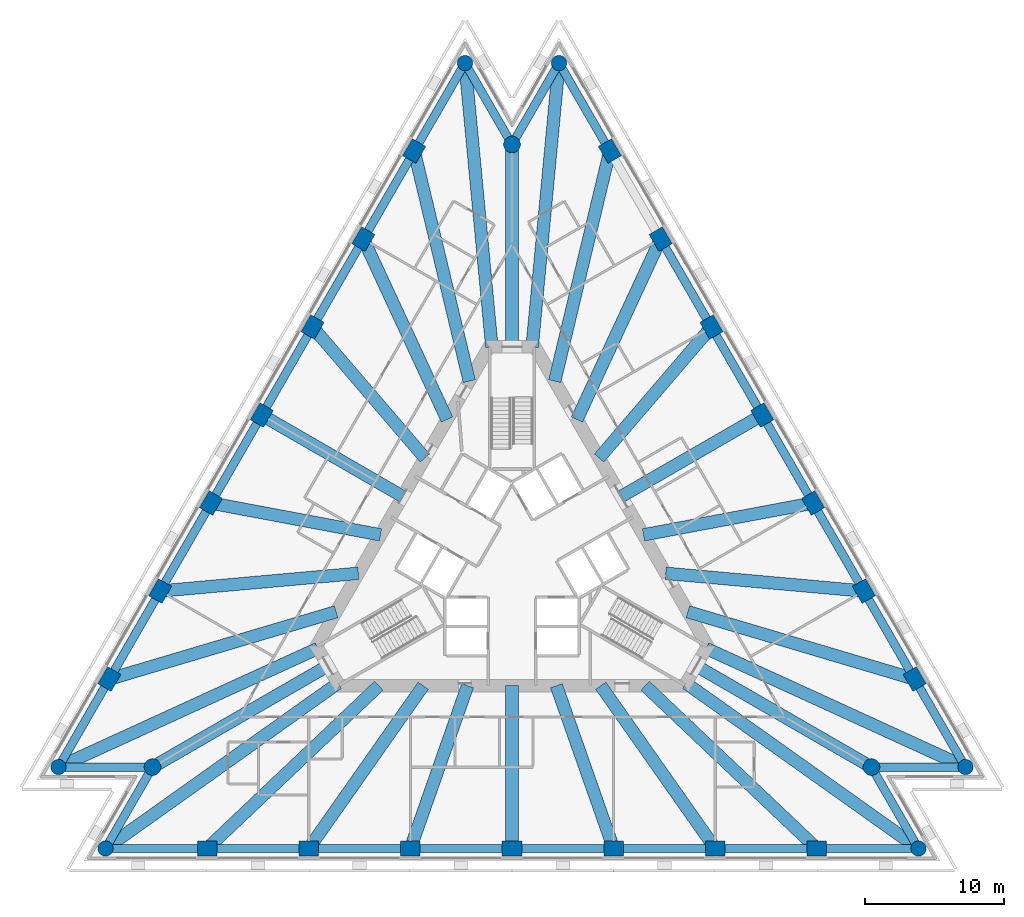
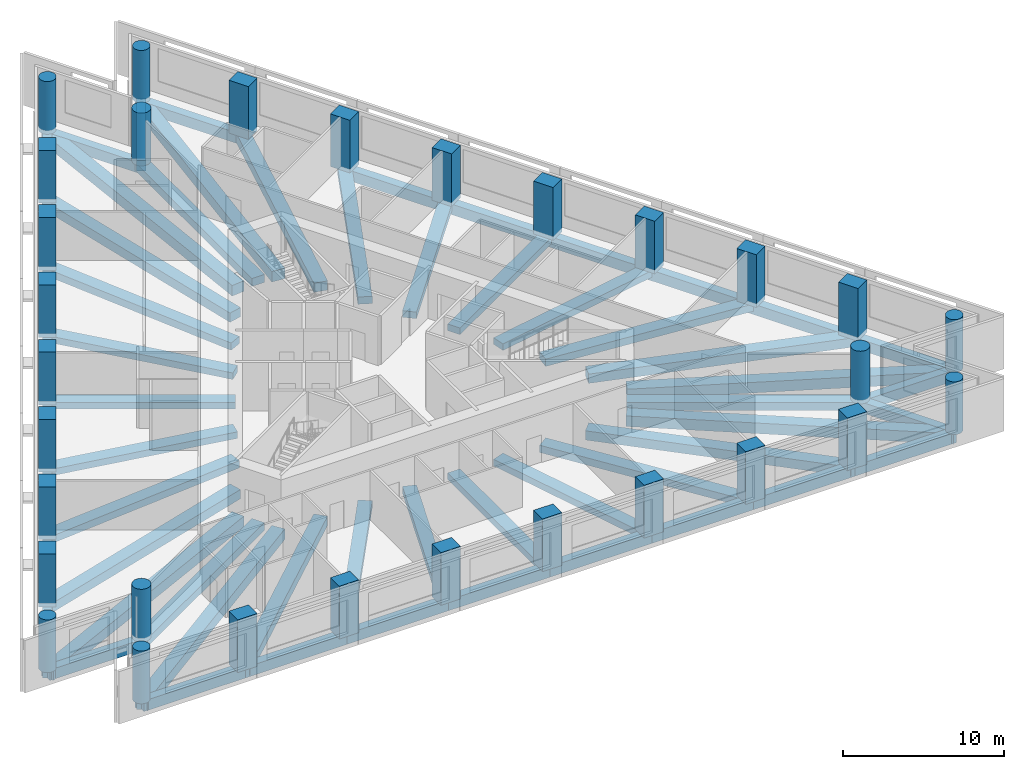
# One storey, part 1 of 11: 59 beams, 30 columns.
"""IFC4 building model written with IfcOpenShell, lengths in metres."""

import ifcopenshell
import ifcopenshell.guid

model = None  # the IFC model being written
_history = None  # IfcOwnerHistory: only IFC2X3 demands one
_inside = {}  # id of a spatial element -> (the spatial element, [elements in it])
_under = {}  # id of a project, library or spatial element -> (it, [spatial elements below it])
_declared = {}  # id of a project -> (the project, [libraries it declares])
_typed = {}  # id of a type object -> (the type object, [elements of that type])
_made_of = {}  # id of a material, layer set ... -> (it, [elements and type objects made of it])


def new_model(schema):
    """Start an empty IFC model of exactly this schema.

    Asked for "IFC4X3", IfcOpenShell would pick the latest addendum, in which some entities
    have other attributes; the version numbers below select the first issue.
    IFC2X3 requires an IfcOwnerHistory on every rooted entity: one is made here for all.
    """
    global model, _history
    if schema == "IFC4X3":
        model = ifcopenshell.file(schema_version=(4, 3, 0, 0))
    else:
        model = ifcopenshell.file(schema=schema)
    _inside.clear()
    _under.clear()
    _declared.clear()
    _typed.clear()
    _made_of.clear()
    _history = None
    if model.schema == "IFC2X3":
        org = make("IfcOrganization", Name="unknown")
        user = make(
            "IfcPersonAndOrganization",
            ThePerson=make("IfcPerson", FamilyName="unknown"),
            TheOrganization=org,
        )
        app = make(
            "IfcApplication",
            ApplicationDeveloper=org,
            Version="unknown",
            ApplicationFullName="unknown",
            ApplicationIdentifier="unknown",
        )
        _history = make(
            "IfcOwnerHistory",
            OwningUser=user,
            OwningApplication=app,
            ChangeAction="ADDED",
            CreationDate=0,
        )
    return model


def make(cls, **values):
    """One entity of the class cls with the attributes given. An attribute that is None is left unset."""
    return model.create_entity(
        cls, **{name: value for name, value in values.items() if value is not None}
    )


def rooted(cls, **values):
    """An entity with a GlobalId (a new one), such as an element, a storey or a relation."""
    return make(cls, GlobalId=ifcopenshell.guid.new(), OwnerHistory=_history, **values)


def si_unit(unit_type, name, prefix=None):
    """IfcSIUnit, for example si_unit("LENGTHUNIT", "METRE", prefix="MILLI")."""
    return make("IfcSIUnit", UnitType=unit_type, Prefix=prefix, Name=name)


def assignment(units):
    """IfcUnitAssignment: the units of a project."""
    return None if units is None else make("IfcUnitAssignment", Units=units)


def point(xyz):
    """IfcCartesianPoint."""
    return None if xyz is None else make("IfcCartesianPoint", Coordinates=xyz)


def direction(xyz):
    """IfcDirection."""
    return None if xyz is None else make("IfcDirection", DirectionRatios=xyz)


def frame(location, z_axis=None, x_axis=None):
    """IfcAxis2Placement3D, a coordinate frame: its origin and axes. An axis left out is left unset."""
    return make(
        "IfcAxis2Placement3D",
        Location=point(location),
        Axis=direction(z_axis),
        RefDirection=direction(x_axis),
    )


def frame_2d(location, x_axis=None):
    """IfcAxis2Placement2D, a coordinate frame in the plane: its origin and x axis."""
    return make(
        "IfcAxis2Placement2D", Location=point(location), RefDirection=direction(x_axis)
    )


def origin():
    """The frame at (0, 0, 0) with its axes left unset."""
    return frame((0.0, 0.0, 0.0))


def origin_2d():
    """The frame at (0, 0) in the plane with its x axis left unset."""
    return frame_2d((0.0, 0.0))


def place(relative_to, where):
    """IfcLocalPlacement: puts the frame where relative to a parent placement (None: the world)."""
    return make(
        "IfcLocalPlacement", PlacementRelTo=relative_to, RelativePlacement=where
    )


def context(
    kind, dimensions, precision=None, world=None, true_north=None, identifier=None
):
    """IfcGeometricRepresentationContext, for example the 3D "Model" context."""
    return make(
        "IfcGeometricRepresentationContext",
        ContextIdentifier=identifier,
        ContextType=kind,
        CoordinateSpaceDimension=dimensions,
        Precision=precision,
        WorldCoordinateSystem=world,
        TrueNorth=true_north,
    )


def subcontext(parent, identifier, kind, view, scale=None):
    """IfcGeometricRepresentationSubContext, for example "Body" below "Model"."""
    return make(
        "IfcGeometricRepresentationSubContext",
        ContextIdentifier=identifier,
        ContextType=kind,
        ParentContext=parent,
        TargetScale=scale,
        TargetView=view,
    )


def project(units=None, contexts=None):
    """IfcProject with its units and contexts."""
    return rooted(
        "IfcProject",
        Name="project",
        RepresentationContexts=contexts,
        UnitsInContext=assignment(units),
    )


def spatial(cls, under=None, at=None, **own):
    """A site, building, storey or space (cls), placed at a placement, below another one or the project."""
    s = rooted(cls, ObjectPlacement=at, **own)
    if under is not None:
        _under.setdefault(under.id(), (under, []))[1].append(s)
    return s


def profile(cls, at=None, kind="AREA", **sizes):
    """A parametric profile (cls). Its sizes go by their IFC names, for example OverallWidth=200.0."""
    return make(cls, ProfileType=kind, Position=at, **sizes)


def rectangle(**sizes):
    """IfcRectangleProfileDef."""
    return profile("IfcRectangleProfileDef", **sizes)


def circle(**sizes):
    """IfcCircleProfileDef."""
    return profile("IfcCircleProfileDef", **sizes)


def extrude(swept, where, along, depth):
    """IfcExtrudedAreaSolid: the profile swept, set in the frame where, extruded along a direction by depth."""
    return make(
        "IfcExtrudedAreaSolid",
        SweptArea=swept,
        Position=where,
        ExtrudedDirection=direction(along),
        Depth=depth,
    )


def shape(context_of_items, identifier, shape_type, items):
    """IfcShapeRepresentation: the items that make up one representation, for example the "Body"."""
    return make(
        "IfcShapeRepresentation",
        ContextOfItems=context_of_items,
        RepresentationIdentifier=identifier,
        RepresentationType=shape_type,
        Items=items,
    )


def material(Name=None, Category=None):
    """IfcMaterial."""
    return make("IfcMaterial", Name=Name, Category=Category)


def material_profile(
    of_material, cross_section, Name=None, Category=None, Priority=None
):
    """IfcMaterialProfile: a cross section and its material."""
    return make(
        "IfcMaterialProfile",
        Name=Name,
        Material=of_material,
        Profile=cross_section,
        Priority=Priority,
        Category=Category,
    )


def profile_set(profiles, Name=None, composite=None):
    """IfcMaterialProfileSet."""
    return make(
        "IfcMaterialProfileSet",
        Name=Name,
        MaterialProfiles=profiles,
        CompositeProfile=composite,
    )


def made_of(thing, what):
    """Note that an element or type object is made of a material, layer set ...; save() writes the relation."""
    if what is not None:
        _made_of.setdefault(what.id(), (what, []))[1].append(thing)
    return thing


def type_object(cls, material=None, **own):
    """A type object (cls), such as IfcWallType, which elements share."""
    return made_of(rooted(cls, **own), material)


def element(
    cls,
    number,
    at=None,
    inside=None,
    cuts=None,
    type_object=None,
    material=None,
    context=None,
    identifier="Body",
    shape_type=None,
    held_by="IfcProductDefinitionShape",
    body=None,
    shapes=None,
    **own,
):
    """One element of the class cls, such as IfcWall. Its Tag is "e" and its number.

    at: its placement. inside: the storey or other place that contains it. cuts: it is an
    opening in that element (IfcRelVoidsElement). A single representation is given by context,
    identifier, shape_type and body (its items); several are given by shapes. held_by: the class
    of the entity that holds the representations. save() writes the other relations.
    """
    e = rooted(cls, Tag="e%d" % number, ObjectPlacement=at, **own)
    if body is not None:
        shapes = [shape(context, identifier, shape_type, body)]
    if shapes is not None:
        e.Representation = make(held_by, Representations=shapes)
    if inside is not None:
        _inside.setdefault(inside.id(), (inside, []))[1].append(e)
    if cuts is not None:
        rooted(
            "IfcRelVoidsElement", RelatingBuildingElement=cuts, RelatedOpeningElement=e
        )
    if type_object is not None:
        _typed.setdefault(type_object.id(), (type_object, []))[1].append(e)
    return made_of(e, material)


def aggregate(whole, parts):
    """IfcRelAggregates: a whole, such as a stair, and the parts it consists of."""
    return rooted("IfcRelAggregates", RelatingObject=whole, RelatedObjects=parts)


def save(model, path):
    """Write the relations noted so far, then the file.

    IfcRelAggregates (storeys below a building ...), IfcRelContainedInSpatialStructure (elements
    in a storey), IfcRelDefinesByType, IfcRelAssociatesMaterial and IfcRelDeclares: one each for
    every whole, place, type object, material and project.
    """
    for whole, parts in _under.values():
        aggregate(whole, parts)
    for where, things in _inside.values():
        rooted(
            "IfcRelContainedInSpatialStructure",
            RelatedElements=things,
            RelatingStructure=where,
        )
    for kind, things in _typed.values():
        rooted("IfcRelDefinesByType", RelatedObjects=things, RelatingType=kind)
    for what, things in _made_of.values():
        rooted("IfcRelAssociatesMaterial", RelatedObjects=things, RelatingMaterial=what)
    for by, libraries in _declared.values():
        rooted("IfcRelDeclares", RelatingContext=by, RelatedDefinitions=libraries)
    model.write(path)


model = new_model("IFC4")

# Units and contexts
model_context = context("Model", 3, precision=1e-05, world=origin(), true_north=direction((0.0, 1.0)))
body_context = subcontext(model_context, "Body", "Model", "MODEL_VIEW")
ifc_project = project(units=[si_unit("LENGTHUNIT", "METRE"), si_unit("AREAUNIT", "SQUARE_METRE"), si_unit("VOLUMEUNIT", "CUBIC_METRE"), si_unit("PLANEANGLEUNIT", "RADIAN"), si_unit("MASSUNIT", "GRAM", prefix="KILO")], contexts=[model_context])

# Site, building, storey
site_placement = place(None, origin())
site = spatial("IfcSite", under=ifc_project, at=site_placement, CompositionType="ELEMENT")
building_placement = place(site_placement, origin())
building = spatial("IfcBuilding", under=site, at=building_placement, Name="Triada Interchange Tower", CompositionType="ELEMENT")
storey_placement = place(building_placement, frame((0.0, 0.0, 79.300048828125)))
storey = spatial("IfcBuildingStorey", under=building, at=storey_placement, Name="L17", CompositionType="ELEMENT", Elevation=79.300048828125)

# Columns
ifc_material_1 = material(Name="Concrete C70/85", Category="concrete")
ifc_material_profile_1 = material_profile(ifc_material_1, rectangle(XDim=1.39990234375, YDim=1.10009765625, at=origin_2d()), Name="RC 1400x1100")
ifc_profile_set_1 = profile_set([ifc_material_profile_1], Name="Concrete C70/85")
column_type_1 = type_object("IfcColumnType", Name="Column A face RC 1400x1100", PredefinedType="COLUMN", material=ifc_profile_set_1)
for number, where, z_axis, x_axis, name in (
    (1, (-7.014892578125, 29.294921875, -0.300048828125), (0.0, 0.0, 1.0), (0.5, 0.866025403784, 0.0), "Column CA02 L17"),
    (2, (-10.657958984375, 22.98388671875, -0.300048828125), (0.0, 0.0, 1.0), (0.5, 0.866025403784, 0.0), "Column CA03 L17"),
    (3, (-14.302001953125, 16.672119140625, -0.300048828125), (0.0, 0.0, 1.0), (0.5, 0.866025403784, 0.0), "Column CA04 L17"),
    (4, (-17.946044921875, 10.361083984375, -0.300048828125), (0.0, 0.0, 1.0), (0.5, 0.866025403784, 0.0), "Column CA05 L17"),
    (5, (-21.590087890625, 4.050048828125, -0.300048828125), (0.0, 0.0, 1.0), (0.5, 0.866025403784, 0.0), "Column CA06 L17"),
    (6, (-25.23388671875, -2.260986328125, -0.300048828125), (0.0, 0.0, 1.0), (0.5, 0.866025403784, 0.0), "Column CA07 L17"),
    (7, (-28.876953125, -8.572998046875, -0.300048828125), (0.0, 0.0, 1.0), (0.5, 0.866025403784, 0.0), "Column CA08 L17"),
    (8, (-21.862060546875, -20.721923828125, -0.300048828125), (0.0, 0.0, 1.0), (1.0, 0.0, 0.0), "Column CA11 L17"),
    (9, (-14.574951171875, -20.721923828125, -0.300048828125), (0.0, 0.0, 1.0), (1.0, 0.0, 0.0), "Column CA12 L17"),
    (10, (-7.2880859375, -20.721923828125, -0.300048828125), (0.0, 0.0, 1.0), (1.0, 0.0, 0.0), "Column CA13 L17"),
    (11, (0.0, -20.721923828125, -0.300048828125), (0.0, 0.0, 1.0), (1.0, 0.0, 0.0), "Column CA14 L17"),
    (12, (7.2880859375, -20.721923828125, -0.300048828125), (0.0, 0.0, 1.0), (1.0, 0.0, 0.0), "Column CA15 L17"),
    (13, (14.574951171875, -20.721923828125, -0.300048828125), (0.0, 0.0, 1.0), (1.0, 0.0, 0.0), "Column CA16 L17"),
    (14, (21.862060546875, -20.721923828125, -0.300048828125), (0.0, 0.0, 1.0), (1.0, 0.0, 0.0), "Column CA17 L17"),
    (15, (28.876953125, -8.572998046875, -0.300048828125), (0.0, 0.0, 1.0), (-0.5, 0.866025403784, 0.0), "Column CA20 L17"),
    (16, (25.23388671875, -2.261962890625, -0.300048828125), (0.0, 0.0, 1.0), (-0.5, 0.866025403784, 0.0), "Column CA21 L17"),
    (17, (21.590087890625, 4.050048828125, -0.300048828125), (0.0, 0.0, 1.0), (-0.5, 0.866025403784, 0.0), "Column CA22 L17"),
    (18, (17.946044921875, 10.361083984375, -0.300048828125), (0.0, 0.0, 1.0), (-0.5, 0.866025403784, 0.0), "Column CA23 L17"),
    (19, (14.302001953125, 16.672119140625, -0.300048828125), (0.0, 0.0, 1.0), (-0.5, 0.866025403784, 0.0), "Column CA24 L17"),
    (20, (10.657958984375, 22.98388671875, -0.300048828125), (0.0, 0.0, 1.0), (-0.5, 0.866025403784, 0.0), "Column CA25 L17"),
    (21, (7.014892578125, 29.294921875, -0.300048828125), (0.0, 0.0, 1.0), (-0.5, 0.866025403784, 0.0), "Column CA26 L17"),
):
    element("IfcColumn", number, at=place(storey_placement, frame(where, z_axis=z_axis, x_axis=x_axis)), inside=storey, type_object=column_type_1, Name=name, PredefinedType="COLUMN", context=body_context, shape_type="SweptSolid", body=[
        extrude(rectangle(XDim=1.39990234375, YDim=1.10009765625, at=origin_2d()), origin(), (0.0, 0.0, 1.0), 4.0),
    ])
ifc_material_profile_2 = material_profile(ifc_material_1, circle(Radius=0.550048828125, at=origin_2d()), Name="RC D1100")
ifc_profile_set_2 = profile_set([ifc_material_profile_2], Name="Concrete C70/85")
column_type_2 = type_object("IfcColumnType", Name="End column A RC D1100", PredefinedType="COLUMN", material=ifc_profile_set_2)
for number, where, z_axis, x_axis, name in (
    (22, (-3.37109375, 35.60595703125, -0.300048828125), (0.0, 0.0, 1.0), (0.5, 0.866025403784, 0.0), "Column CA01 L17"),
    (23, (-32.52099609375, -14.884033203125, -0.300048828125), (0.0, 0.0, 1.0), (0.5, 0.866025403784, 0.0), "Column CA09 L17"),
    (24, (-29.14990234375, -20.721923828125, -0.300048828125), (0.0, 0.0, 1.0), (1.0, 0.0, 0.0), "Column CA10 L17"),
    (25, (29.14990234375, -20.721923828125, -0.300048828125), (0.0, 0.0, 1.0), (1.0, 0.0, 0.0), "Column CA18 L17"),
    (26, (32.52099609375, -14.884033203125, -0.300048828125), (0.0, 0.0, 1.0), (-0.5, 0.866025403784, 0.0), "Column CA19 L17"),
    (27, (3.37109375, 35.60595703125, -0.300048828125), (0.0, 0.0, 1.0), (-0.5, 0.866025403784, 0.0), "Column CA27 L17"),
):
    element("IfcColumn", number, at=place(storey_placement, frame(where, z_axis=z_axis, x_axis=x_axis)), inside=storey, type_object=column_type_2, Name=name, PredefinedType="COLUMN", context=body_context, shape_type="SweptSolid", body=[
        extrude(circle(Radius=0.550048828125, at=origin_2d()), origin(), (0.0, 0.0, 1.0), 4.0),
    ])
ifc_material_profile_3 = material_profile(ifc_material_1, circle(Radius=0.60009765625, at=origin_2d()), Name="RC D1200")
ifc_profile_set_3 = profile_set([ifc_material_profile_3], Name="Concrete C70/85")
column_type_3 = type_object("IfcColumnType", Name="Mega column A RC D1200", PredefinedType="COLUMN", material=ifc_profile_set_3)
for number, where, z_axis, x_axis, name in (
    (28, (0.0, 29.76806640625, -0.300048828125), (0.0, 0.0, 1.0), (1.0, 0.0, 0.0), "Column MA1 L17"),
    (29, (-25.780029296875, -14.884033203125, -0.300048828125), (0.0, 0.0, 1.0), (1.0, 0.0, 0.0), "Column MA2 L17"),
    (30, (25.780029296875, -14.884033203125, -0.300048828125), (0.0, 0.0, 1.0), (1.0, 0.0, 0.0), "Column MA3 L17"),
):
    element("IfcColumn", number, at=place(storey_placement, frame(where, z_axis=z_axis, x_axis=x_axis)), inside=storey, type_object=column_type_3, Name=name, PredefinedType="COLUMN", context=body_context, shape_type="SweptSolid", body=[
        extrude(circle(Radius=0.60009765625, at=origin_2d()), origin(), (0.0, 0.0, 1.0), 4.0),
    ])

# Beams
ifc_material_2 = material(Name="Concrete C50/60", Category="concrete")
ifc_material_profile_4 = material_profile(ifc_material_2, rectangle(XDim=0.89990234375, YDim=0.5, at=origin_2d()), Name="RC 900x500")
ifc_profile_set_4 = profile_set([ifc_material_profile_4], Name="Concrete C50/60")
beam_type_1 = type_object("IfcBeamType", Name="Radial band beam A RC 900x500", PredefinedType="BEAM", material=ifc_profile_set_4)
beam_1_placement = place(storey_placement, frame((-14.302001953125, 16.672119140625, -0.550048828125), z_axis=(0.651088692684, -0.759001656295, 0.0), x_axis=(0.759001656295, 0.651088692684, 0.0)))
element("IfcBeam", 31, at=beam_1_placement, inside=storey, type_object=beam_type_1, Name="Radial band beam BA04 L17", PredefinedType="BEAM", context=body_context, shape_type="SweptSolid", body=[
    extrude(rectangle(XDim=0.89990234375, YDim=0.5, at=origin_2d()), origin(), (0.0, 0.0, 1.0), 12.373046875),
])
beam_2_placement = place(storey_placement, frame((-17.946044921875, 10.361083984375, -0.550048828125), z_axis=(0.866016647085, -0.500015166741, 0.0), x_axis=(0.500015166741, 0.866016647085, 0.0)))
element("IfcBeam", 32, at=beam_2_placement, inside=storey, type_object=beam_type_1, Name="Radial band beam BA05 L17", PredefinedType="BEAM", context=body_context, shape_type="SweptSolid", body=[
    extrude(rectangle(XDim=0.89990234375, YDim=0.5, at=origin_2d()), origin(), (0.0, 0.0, 1.0), 11.672119140625),
])
beam_3_placement = place(storey_placement, frame((-21.590087890625, 4.050048828125, -0.550048828125), z_axis=(0.982860569516, -0.184350483839, 0.0), x_axis=(0.184350483839, 0.982860569516, 0.0)))
element("IfcBeam", 33, at=beam_3_placement, inside=storey, type_object=beam_type_1, Name="Radial band beam BA06 L17", PredefinedType="BEAM", context=body_context, shape_type="SweptSolid", body=[
    extrude(rectangle(XDim=0.89990234375, YDim=0.5, at=origin_2d()), origin(), (0.0, 0.0, 1.0), 12.373291015625),
])
beam_4_placement = place(storey_placement, frame((-7.2880859375, -20.721923828125, -0.550048828125), z_axis=(0.331777446319, 0.943357687261, 0.0), x_axis=(-0.943357687261, 0.331777446319, 0.0)))
element("IfcBeam", 34, at=beam_4_placement, inside=storey, type_object=beam_type_1, Name="Radial band beam BA14 L17", PredefinedType="BEAM", context=body_context, shape_type="SweptSolid", body=[
    extrude(rectangle(XDim=0.89990234375, YDim=0.5, at=origin_2d()), origin(), (0.0, 0.0, 1.0), 12.372802734375),
])
beam_5_placement = place(storey_placement, frame((0.0, -20.721923828125, -0.550048828125), z_axis=(0.0, 1.0, 0.0), x_axis=(-1.0, 0.0, 0.0)))
element("IfcBeam", 35, at=beam_5_placement, inside=storey, type_object=beam_type_1, Name="Radial band beam BA15 L17", PredefinedType="BEAM", context=body_context, shape_type="SweptSolid", body=[
    extrude(rectangle(XDim=0.89990234375, YDim=0.5, at=origin_2d()), origin(), (0.0, 0.0, 1.0), 11.671875),
])
beam_6_placement = place(storey_placement, frame((7.2880859375, -20.721923828125, -0.550048828125), z_axis=(-0.331777446319, 0.943357687261, 0.0), x_axis=(-0.943357687261, -0.331777446319, 0.0)))
element("IfcBeam", 36, at=beam_6_placement, inside=storey, type_object=beam_type_1, Name="Radial band beam BA16 L17", PredefinedType="BEAM", context=body_context, shape_type="SweptSolid", body=[
    extrude(rectangle(XDim=0.89990234375, YDim=0.5, at=origin_2d()), origin(), (0.0, 0.0, 1.0), 12.372802734375),
])
beam_7_placement = place(storey_placement, frame((21.590087890625, 4.050048828125, -0.550048828125), z_axis=(-0.982860569516, -0.184350483839, 0.0), x_axis=(0.184350483839, -0.982860569516, 0.0)))
element("IfcBeam", 37, at=beam_7_placement, inside=storey, type_object=beam_type_1, Name="Radial band beam BA24 L17", PredefinedType="BEAM", context=body_context, shape_type="SweptSolid", body=[
    extrude(rectangle(XDim=0.89990234375, YDim=0.5, at=origin_2d()), origin(), (0.0, 0.0, 1.0), 12.373291015625),
])
beam_8_placement = place(storey_placement, frame((17.946044921875, 10.361083984375, -0.550048828125), z_axis=(-0.866016647085, -0.500015166741, 0.0), x_axis=(0.500015166741, -0.866016647085, 0.0)))
element("IfcBeam", 38, at=beam_8_placement, inside=storey, type_object=beam_type_1, Name="Radial band beam BA25 L17", PredefinedType="BEAM", context=body_context, shape_type="SweptSolid", body=[
    extrude(rectangle(XDim=0.89990234375, YDim=0.5, at=origin_2d()), origin(), (0.0, 0.0, 1.0), 11.672119140625),
])
beam_9_placement = place(storey_placement, frame((14.302001953125, 16.672119140625, -0.550048828125), z_axis=(-0.651088692684, -0.759001656295, 0.0), x_axis=(0.759001656295, -0.651088692684, 0.0)))
element("IfcBeam", 39, at=beam_9_placement, inside=storey, type_object=beam_type_1, Name="Radial band beam BA26 L17", PredefinedType="BEAM", context=body_context, shape_type="SweptSolid", body=[
    extrude(rectangle(XDim=0.89990234375, YDim=0.5, at=origin_2d()), origin(), (0.0, 0.0, 1.0), 12.373046875),
])
ifc_material_profile_5 = material_profile(ifc_material_2, rectangle(XDim=0.89990234375, YDim=0.550048828125, at=origin_2d()), Name="RC 900x550")
ifc_profile_set_5 = profile_set([ifc_material_profile_5], Name="Concrete C50/60")
beam_type_2 = type_object("IfcBeamType", Name="Radial band beam A RC 900x550", PredefinedType="BEAM", material=ifc_profile_set_5)
beam_10_placement = place(storey_placement, frame((-10.657958984375, 22.98388671875, -0.574951171875), z_axis=(0.42067192096, -0.907212838818, 0.0), x_axis=(0.907212838818, 0.42067192096, 0.0)))
element("IfcBeam", 40, at=beam_10_placement, inside=storey, type_object=beam_type_2, Name="Radial band beam BA03 L17", PredefinedType="BEAM", context=body_context, shape_type="SweptSolid", body=[
    extrude(rectangle(XDim=0.89990234375, YDim=0.550048828125, at=origin_2d()), origin(), (0.0, 0.0, 1.0), 14.269775390625),
])
beam_11_placement = place(storey_placement, frame((-25.23388671875, -2.260986328125, -0.574951171875), z_axis=(0.99600766566, 0.089267743034, 0.0), x_axis=(-0.089267743034, 0.99600766566, 0.0)))
element("IfcBeam", 41, at=beam_11_placement, inside=storey, type_object=beam_type_2, Name="Radial band beam BA07 L17", PredefinedType="BEAM", context=body_context, shape_type="SweptSolid", body=[
    extrude(rectangle(XDim=0.89990234375, YDim=0.550048828125, at=origin_2d()), origin(), (0.0, 0.0, 1.0), 14.270751953125),
])
for number, where, z_axis, x_axis, name in (
    (42, (-14.574951171875, -20.721923828125, -0.574951171875), (0.575325573526, 0.817924498011, 0.0), (-0.817924498011, 0.575325573526, 0.0), "Radial band beam BA13 L17"),
    (43, (14.574951171875, -20.721923828125, -0.574951171875), (-0.575325573526, 0.817924498011, 0.0), (-0.817924498011, -0.575325573526, 0.0), "Radial band beam BA17 L17"),
):
    element("IfcBeam", number, at=place(storey_placement, frame(where, z_axis=z_axis, x_axis=x_axis)), inside=storey, type_object=beam_type_2, Name=name, PredefinedType="BEAM", context=body_context, shape_type="SweptSolid", body=[
        extrude(rectangle(XDim=0.89990234375, YDim=0.550048828125, at=origin_2d()), origin(), (0.0, 0.0, 1.0), 14.27001953125),
    ])
for number, where, z_axis, x_axis, name in (
    (44, (25.23388671875, -2.261962890625, -0.574951171875), (-0.996007120299, 0.089273827706, 0.0), (-0.089273827706, -0.996007120299, 0.0), "Radial band beam BA23 L17"),
    (45, (10.657958984375, 22.98388671875, -0.574951171875), (-0.42067192096, -0.907212838818, 0.0), (0.907212838818, -0.42067192096, 0.0), "Radial band beam BA27 L17"),
):
    element("IfcBeam", number, at=place(storey_placement, frame(where, z_axis=z_axis, x_axis=x_axis)), inside=storey, type_object=beam_type_2, Name=name, PredefinedType="BEAM", context=body_context, shape_type="SweptSolid", body=[
        extrude(rectangle(XDim=0.89990234375, YDim=0.550048828125, at=origin_2d()), origin(), (0.0, 0.0, 1.0), 14.269775390625),
    ])
ifc_material_profile_6 = material_profile(ifc_material_2, rectangle(XDim=0.89990234375, YDim=0.60009765625, at=origin_2d()), Name="RC 900x600")
ifc_profile_set_6 = profile_set([ifc_material_profile_6], Name="Concrete C50/60")
beam_type_3 = type_object("IfcBeamType", Name="Radial band beam A RC 900x600", PredefinedType="BEAM", material=ifc_profile_set_6)
for number, where, z_axis, x_axis, name in (
    (46, (-25.780029296875, -14.884033203125, -0.60009765625), (0.866025123534, 0.500000485408, 0.0), (-0.500000485408, 0.866025123534, 0.0), "Radial band beam BA10 L17"),
    (47, (25.780029296875, -14.884033203125, -0.60009765625), (-0.866025123534, 0.500000485408, 0.0), (-0.500000485408, -0.866025123534, 0.0), "Radial band beam BA20 L17"),
    (48, (0.0, 29.76806640625, -0.60009765625), (0.0, -1.0, 0.0), (1.0, 0.0, 0.0), "Radial band beam BA30 L17"),
):
    element("IfcBeam", number, at=place(storey_placement, frame(where, z_axis=z_axis, x_axis=x_axis)), inside=storey, type_object=beam_type_3, Name=name, PredefinedType="BEAM", context=body_context, shape_type="SweptSolid", body=[
        extrude(rectangle(XDim=0.89990234375, YDim=0.60009765625, at=origin_2d()), origin(), (0.0, 0.0, 1.0), 14.51806640625),
    ])
ifc_material_profile_7 = material_profile(ifc_material_2, rectangle(XDim=0.89990234375, YDim=0.699951171875, at=origin_2d()), Name="RC 900x700")
ifc_profile_set_7 = profile_set([ifc_material_profile_7], Name="Concrete C50/60")
beam_type_4 = type_object("IfcBeamType", Name="Radial band beam A RC 900x700", PredefinedType="BEAM", material=ifc_profile_set_7)
beam_12_placement = place(storey_placement, frame((-7.014892578125, 29.294921875, -0.650146484375), z_axis=(0.232895688339, -0.972501721517, 0.0), x_axis=(0.972501721517, 0.232895688339, 0.0)))
element("IfcBeam", 49, at=beam_12_placement, inside=storey, type_object=beam_type_4, Name="Radial band beam BA02 L17", PredefinedType="BEAM", context=body_context, shape_type="SweptSolid", body=[
    extrude(rectangle(XDim=0.89990234375, YDim=0.699951171875, at=origin_2d()), origin(), (0.0, 0.0, 1.0), 16.968505859375),
])
for number, where, z_axis, x_axis, name in (
    (50, (-28.876953125, -8.572998046875, -0.650146484375), (0.958639443618, 0.284623289875, 0.0), (-0.284623289875, 0.958639443618, 0.0), "Radial band beam BA08 L17"),
    (51, (-21.862060546875, -20.721923828125, -0.650146484375), (0.725775700998, 0.68793141507, 0.0), (-0.68793141507, 0.725775700998, 0.0), "Radial band beam BA12 L17"),
    (52, (21.862060546875, -20.721923828125, -0.650146484375), (-0.725775700998, 0.68793141507, 0.0), (-0.68793141507, -0.725775700998, 0.0), "Radial band beam BA18 L17"),
    (53, (28.876953125, -8.572998046875, -0.650146484375), (-0.958639443618, 0.284623289875, 0.0), (-0.284623289875, -0.958639443618, 0.0), "Radial band beam BA22 L17"),
):
    element("IfcBeam", number, at=place(storey_placement, frame(where, z_axis=z_axis, x_axis=x_axis)), inside=storey, type_object=beam_type_4, Name=name, PredefinedType="BEAM", context=body_context, shape_type="SweptSolid", body=[
        extrude(rectangle(XDim=0.89990234375, YDim=0.699951171875, at=origin_2d()), origin(), (0.0, 0.0, 1.0), 16.966552734375),
    ])
beam_13_placement = place(storey_placement, frame((7.014892578125, 29.294921875, -0.650146484375), z_axis=(-0.232895688339, -0.972501721517, 0.0), x_axis=(0.972501721517, -0.232895688339, 0.0)))
element("IfcBeam", 54, at=beam_13_placement, inside=storey, type_object=beam_type_4, Name="Radial band beam BA28 L17", PredefinedType="BEAM", context=body_context, shape_type="SweptSolid", body=[
    extrude(rectangle(XDim=0.89990234375, YDim=0.699951171875, at=origin_2d()), origin(), (0.0, 0.0, 1.0), 16.968505859375),
])
ifc_material_profile_8 = material_profile(ifc_material_2, rectangle(XDim=0.89990234375, YDim=0.800048828125, at=origin_2d()), Name="RC 900x800")
ifc_profile_set_8 = profile_set([ifc_material_profile_8], Name="Concrete C50/60")
beam_type_5 = type_object("IfcBeamType", Name="Radial band beam A RC 900x800", PredefinedType="BEAM", material=ifc_profile_set_8)
beam_14_placement = place(storey_placement, frame((-3.37109375, 35.60595703125, -0.699951171875), z_axis=(0.094243917314, -0.995549136934, 0.0), x_axis=(0.995549136934, 0.094243917314, 0.0)))
element("IfcBeam", 55, at=beam_14_placement, inside=storey, type_object=beam_type_5, Name="Radial band beam BA01 L17", PredefinedType="BEAM", context=body_context, shape_type="SweptSolid", body=[
    extrude(rectangle(XDim=0.89990234375, YDim=0.800048828125, at=origin_2d()), origin(), (0.0, 0.0, 1.0), 20.447021484375),
])
beam_15_placement = place(storey_placement, frame((-32.52099609375, -14.884033203125, -0.699951171875), z_axis=(0.909292889271, 0.416156751143, 0.0), x_axis=(-0.416156751143, 0.909292889271, 0.0)))
element("IfcBeam", 56, at=beam_15_placement, inside=storey, type_object=beam_type_5, Name="Radial band beam BA09 L17", PredefinedType="BEAM", context=body_context, shape_type="SweptSolid", body=[
    extrude(rectangle(XDim=0.89990234375, YDim=0.800048828125, at=origin_2d()), origin(), (0.0, 0.0, 1.0), 20.44677734375),
])
for number, where, z_axis, x_axis, name in (
    (57, (-29.14990234375, -20.721923828125, -0.699951171875), (0.815038401501, 0.57940694169, 0.0), (-0.57940694169, 0.815038401501, 0.0), "Radial band beam BA11 L17"),
    (58, (29.14990234375, -20.721923828125, -0.699951171875), (-0.815038401501, 0.57940694169, 0.0), (-0.57940694169, -0.815038401501, 0.0), "Radial band beam BA19 L17"),
):
    element("IfcBeam", number, at=place(storey_placement, frame(where, z_axis=z_axis, x_axis=x_axis)), inside=storey, type_object=beam_type_5, Name=name, PredefinedType="BEAM", context=body_context, shape_type="SweptSolid", body=[
        extrude(rectangle(XDim=0.89990234375, YDim=0.800048828125, at=origin_2d()), origin(), (0.0, 0.0, 1.0), 20.446533203125),
    ])
beam_16_placement = place(storey_placement, frame((32.52099609375, -14.884033203125, -0.699951171875), z_axis=(-0.909292889271, 0.416156751143, 0.0), x_axis=(-0.416156751143, -0.909292889271, 0.0)))
element("IfcBeam", 59, at=beam_16_placement, inside=storey, type_object=beam_type_5, Name="Radial band beam BA21 L17", PredefinedType="BEAM", context=body_context, shape_type="SweptSolid", body=[
    extrude(rectangle(XDim=0.89990234375, YDim=0.800048828125, at=origin_2d()), origin(), (0.0, 0.0, 1.0), 20.44677734375),
])
beam_17_placement = place(storey_placement, frame((3.37109375, 35.60595703125, -0.699951171875), z_axis=(-0.094243917314, -0.995549136934, 0.0), x_axis=(0.995549136934, -0.094243917314, 0.0)))
element("IfcBeam", 60, at=beam_17_placement, inside=storey, type_object=beam_type_5, Name="Radial band beam BA29 L17", PredefinedType="BEAM", context=body_context, shape_type="SweptSolid", body=[
    extrude(rectangle(XDim=0.89990234375, YDim=0.800048828125, at=origin_2d()), origin(), (0.0, 0.0, 1.0), 20.447021484375),
])
ifc_material_profile_9 = material_profile(ifc_material_2, rectangle(XDim=0.60009765625, YDim=0.800048828125, at=origin_2d()), Name="RC 600x800")
ifc_profile_set_9 = profile_set([ifc_material_profile_9], Name="Concrete C50/60")
beam_type_6 = type_object("IfcBeamType", Name="Spandrel beam A RC 600x800", PredefinedType="BEAM", material=ifc_profile_set_9)
beam_18_placement = place(storey_placement, frame((-3.37109375, 35.60595703125, -0.699951171875), z_axis=(-0.500012451049, -0.866018215049, 0.0), x_axis=(0.866018215049, -0.500012451049, 0.0)))
element("IfcBeam", 61, at=beam_18_placement, inside=storey, type_object=beam_type_6, Name="Spandrel beam EA01 L17", PredefinedType="BEAM", context=body_context, shape_type="SweptSolid", body=[
    extrude(rectangle(XDim=0.60009765625, YDim=0.800048828125, at=origin_2d()), origin(), (0.0, 0.0, 1.0), 7.287353515625),
])
beam_19_placement = place(storey_placement, frame((-7.014892578125, 29.294921875, -0.699951171875), z_axis=(-0.499937067856, -0.866061734626, 0.0), x_axis=(0.866061734626, -0.499937067856, 0.0)))
element("IfcBeam", 62, at=beam_19_placement, inside=storey, type_object=beam_type_6, Name="Spandrel beam EA02 L17", PredefinedType="BEAM", context=body_context, shape_type="SweptSolid", body=[
    extrude(rectangle(XDim=0.60009765625, YDim=0.800048828125, at=origin_2d()), origin(), (0.0, 0.0, 1.0), 7.287109375),
])
beam_20_placement = place(storey_placement, frame((-10.657958984375, 22.98388671875, -0.699951171875), z_axis=(-0.499994058011, -0.866028834366, 0.0), x_axis=(0.866028834366, -0.499994058011, 0.0)))
element("IfcBeam", 63, at=beam_20_placement, inside=storey, type_object=beam_type_6, Name="Spandrel beam EA03 L17", PredefinedType="BEAM", context=body_context, shape_type="SweptSolid", body=[
    extrude(rectangle(XDim=0.60009765625, YDim=0.800048828125, at=origin_2d()), origin(), (0.0, 0.0, 1.0), 7.2880859375),
])
for number, where, z_axis, x_axis, name in (
    (64, (-14.302001953125, 16.672119140625, -0.699951171875), (-0.500037576254, -0.866003708037, 0.0), (0.866003708037, -0.500037576254, 0.0), "Spandrel beam EA04 L17"),
    (65, (-17.946044921875, 10.361083984375, -0.699951171875), (-0.500037576254, -0.866003708037, 0.0), (0.866003708037, -0.500037576254, 0.0), "Spandrel beam EA05 L17"),
):
    element("IfcBeam", number, at=place(storey_placement, frame(where, z_axis=z_axis, x_axis=x_axis)), inside=storey, type_object=beam_type_6, Name=name, PredefinedType="BEAM", context=body_context, shape_type="SweptSolid", body=[
        extrude(rectangle(XDim=0.60009765625, YDim=0.800048828125, at=origin_2d()), origin(), (0.0, 0.0, 1.0), 7.28759765625),
    ])
beam_21_placement = place(storey_placement, frame((-21.590087890625, 4.050048828125, -0.699951171875), z_axis=(-0.500012451049, -0.866018215049, 0.0), x_axis=(0.866018215049, -0.500012451049, 0.0)))
element("IfcBeam", 66, at=beam_21_placement, inside=storey, type_object=beam_type_6, Name="Spandrel beam EA06 L17", PredefinedType="BEAM", context=body_context, shape_type="SweptSolid", body=[
    extrude(rectangle(XDim=0.60009765625, YDim=0.800048828125, at=origin_2d()), origin(), (0.0, 0.0, 1.0), 7.287353515625),
])
beam_22_placement = place(storey_placement, frame((-25.23388671875, -2.260986328125, -0.699951171875), z_axis=(-0.499879048825, -0.866095223717, 0.0), x_axis=(0.866095223717, -0.499879048825, 0.0)))
element("IfcBeam", 67, at=beam_22_placement, inside=storey, type_object=beam_type_6, Name="Spandrel beam EA07 L17", PredefinedType="BEAM", context=body_context, shape_type="SweptSolid", body=[
    extrude(rectangle(XDim=0.60009765625, YDim=0.800048828125, at=origin_2d()), origin(), (0.0, 0.0, 1.0), 7.287841796875),
])
beam_23_placement = place(storey_placement, frame((-28.876953125, -8.572998046875, -0.699951171875), z_axis=(-0.500037576254, -0.866003708037, 0.0), x_axis=(0.866003708037, -0.500037576254, 0.0)))
element("IfcBeam", 68, at=beam_23_placement, inside=storey, type_object=beam_type_6, Name="Spandrel beam EA08 L17", PredefinedType="BEAM", context=body_context, shape_type="SweptSolid", body=[
    extrude(rectangle(XDim=0.60009765625, YDim=0.800048828125, at=origin_2d()), origin(), (0.0, 0.0, 1.0), 7.28759765625),
])
beam_24_placement = place(storey_placement, frame((-32.52099609375, -14.884033203125, -0.699951171875), z_axis=(1.0, 0.0, 0.0), x_axis=(0.0, 1.0, 0.0)))
element("IfcBeam", 69, at=beam_24_placement, inside=storey, type_object=beam_type_6, Name="Spandrel beam EA09 L17", PredefinedType="BEAM", context=body_context, shape_type="SweptSolid", body=[
    extrude(rectangle(XDim=0.60009765625, YDim=0.800048828125, at=origin_2d()), origin(), (0.0, 0.0, 1.0), 6.740966796875),
])
beam_25_placement = place(storey_placement, frame((-25.780029296875, -14.884033203125, -0.699951171875), z_axis=(-0.499929381361, -0.866066171636, 0.0), x_axis=(0.866066171636, -0.499929381361, 0.0)))
element("IfcBeam", 70, at=beam_25_placement, inside=storey, type_object=beam_type_6, Name="Spandrel beam EA10 L17", PredefinedType="BEAM", context=body_context, shape_type="SweptSolid", body=[
    extrude(rectangle(XDim=0.60009765625, YDim=0.800048828125, at=origin_2d()), origin(), (0.0, 0.0, 1.0), 6.74072265625),
])
beam_26_placement = place(storey_placement, frame((-29.14990234375, -20.721923828125, -0.699951171875), z_axis=(1.0, 0.0, 0.0), x_axis=(0.0, 1.0, 0.0)))
element("IfcBeam", 71, at=beam_26_placement, inside=storey, type_object=beam_type_6, Name="Spandrel beam EA11 L17", PredefinedType="BEAM", context=body_context, shape_type="SweptSolid", body=[
    extrude(rectangle(XDim=0.60009765625, YDim=0.800048828125, at=origin_2d()), origin(), (0.0, 0.0, 1.0), 7.287841796875),
])
beam_27_placement = place(storey_placement, frame((-21.862060546875, -20.721923828125, -0.699951171875), z_axis=(1.0, 0.0, 0.0), x_axis=(0.0, 1.0, 0.0)))
element("IfcBeam", 72, at=beam_27_placement, inside=storey, type_object=beam_type_6, Name="Spandrel beam EA12 L17", PredefinedType="BEAM", context=body_context, shape_type="SweptSolid", body=[
    extrude(rectangle(XDim=0.60009765625, YDim=0.800048828125, at=origin_2d()), origin(), (0.0, 0.0, 1.0), 7.287109375),
])
beam_28_placement = place(storey_placement, frame((-14.574951171875, -20.721923828125, -0.699951171875), z_axis=(1.0, 0.0, 0.0), x_axis=(0.0, 1.0, 0.0)))
element("IfcBeam", 73, at=beam_28_placement, inside=storey, type_object=beam_type_6, Name="Spandrel beam EA13 L17", PredefinedType="BEAM", context=body_context, shape_type="SweptSolid", body=[
    extrude(rectangle(XDim=0.60009765625, YDim=0.800048828125, at=origin_2d()), origin(), (0.0, 0.0, 1.0), 7.286865234375),
])
for number, where, z_axis, x_axis, name in (
    (74, (-7.2880859375, -20.721923828125, -0.699951171875), (1.0, 0.0, 0.0), (0.0, 1.0, 0.0), "Spandrel beam EA14 L17"),
    (75, (0.0, -20.721923828125, -0.699951171875), (1.0, 0.0, 0.0), (0.0, 1.0, 0.0), "Spandrel beam EA15 L17"),
):
    element("IfcBeam", number, at=place(storey_placement, frame(where, z_axis=z_axis, x_axis=x_axis)), inside=storey, type_object=beam_type_6, Name=name, PredefinedType="BEAM", context=body_context, shape_type="SweptSolid", body=[
        extrude(rectangle(XDim=0.60009765625, YDim=0.800048828125, at=origin_2d()), origin(), (0.0, 0.0, 1.0), 7.2880859375),
    ])
beam_29_placement = place(storey_placement, frame((7.2880859375, -20.721923828125, -0.699951171875), z_axis=(1.0, 0.0, 0.0), x_axis=(0.0, 1.0, 0.0)))
element("IfcBeam", 76, at=beam_29_placement, inside=storey, type_object=beam_type_6, Name="Spandrel beam EA16 L17", PredefinedType="BEAM", context=body_context, shape_type="SweptSolid", body=[
    extrude(rectangle(XDim=0.60009765625, YDim=0.800048828125, at=origin_2d()), origin(), (0.0, 0.0, 1.0), 7.286865234375),
])
beam_30_placement = place(storey_placement, frame((14.574951171875, -20.721923828125, -0.699951171875), z_axis=(1.0, 0.0, 0.0), x_axis=(0.0, 1.0, 0.0)))
element("IfcBeam", 77, at=beam_30_placement, inside=storey, type_object=beam_type_6, Name="Spandrel beam EA17 L17", PredefinedType="BEAM", context=body_context, shape_type="SweptSolid", body=[
    extrude(rectangle(XDim=0.60009765625, YDim=0.800048828125, at=origin_2d()), origin(), (0.0, 0.0, 1.0), 7.287109375),
])
beam_31_placement = place(storey_placement, frame((21.862060546875, -20.721923828125, -0.699951171875), z_axis=(1.0, 0.0, 0.0), x_axis=(0.0, 1.0, 0.0)))
element("IfcBeam", 78, at=beam_31_placement, inside=storey, type_object=beam_type_6, Name="Spandrel beam EA18 L17", PredefinedType="BEAM", context=body_context, shape_type="SweptSolid", body=[
    extrude(rectangle(XDim=0.60009765625, YDim=0.800048828125, at=origin_2d()), origin(), (0.0, 0.0, 1.0), 7.287841796875),
])
beam_32_placement = place(storey_placement, frame((29.14990234375, -20.721923828125, -0.699951171875), z_axis=(-0.499929381361, 0.866066171636, 0.0), x_axis=(-0.866066171636, -0.499929381361, 0.0)))
element("IfcBeam", 79, at=beam_32_placement, inside=storey, type_object=beam_type_6, Name="Spandrel beam EA19 L17", PredefinedType="BEAM", context=body_context, shape_type="SweptSolid", body=[
    extrude(rectangle(XDim=0.60009765625, YDim=0.800048828125, at=origin_2d()), origin(), (0.0, 0.0, 1.0), 6.74072265625),
])
beam_33_placement = place(storey_placement, frame((25.780029296875, -14.884033203125, -0.699951171875), z_axis=(1.0, 0.0, 0.0), x_axis=(0.0, 1.0, 0.0)))
element("IfcBeam", 80, at=beam_33_placement, inside=storey, type_object=beam_type_6, Name="Spandrel beam EA20 L17", PredefinedType="BEAM", context=body_context, shape_type="SweptSolid", body=[
    extrude(rectangle(XDim=0.60009765625, YDim=0.800048828125, at=origin_2d()), origin(), (0.0, 0.0, 1.0), 6.740966796875),
])
beam_34_placement = place(storey_placement, frame((32.52099609375, -14.884033203125, -0.699951171875), z_axis=(-0.500037576254, 0.866003708037, 0.0), x_axis=(-0.866003708037, -0.500037576254, 0.0)))
element("IfcBeam", 81, at=beam_34_placement, inside=storey, type_object=beam_type_6, Name="Spandrel beam EA21 L17", PredefinedType="BEAM", context=body_context, shape_type="SweptSolid", body=[
    extrude(rectangle(XDim=0.60009765625, YDim=0.800048828125, at=origin_2d()), origin(), (0.0, 0.0, 1.0), 7.28759765625),
])
beam_35_placement = place(storey_placement, frame((28.876953125, -8.572998046875, -0.699951171875), z_axis=(-0.499937067856, 0.866061734626, 0.0), x_axis=(-0.866061734626, -0.499937067856, 0.0)))
element("IfcBeam", 82, at=beam_35_placement, inside=storey, type_object=beam_type_6, Name="Spandrel beam EA22 L17", PredefinedType="BEAM", context=body_context, shape_type="SweptSolid", body=[
    extrude(rectangle(XDim=0.60009765625, YDim=0.800048828125, at=origin_2d()), origin(), (0.0, 0.0, 1.0), 7.287109375),
])
beam_36_placement = place(storey_placement, frame((25.23388671875, -2.261962890625, -0.699951171875), z_axis=(-0.499954429099, 0.866051712558, 0.0), x_axis=(-0.866051712558, -0.499954429099, 0.0)))
element("IfcBeam", 83, at=beam_36_placement, inside=storey, type_object=beam_type_6, Name="Spandrel beam EA23 L17", PredefinedType="BEAM", context=body_context, shape_type="SweptSolid", body=[
    extrude(rectangle(XDim=0.60009765625, YDim=0.800048828125, at=origin_2d()), origin(), (0.0, 0.0, 1.0), 7.288330078125),
])
for number, where, z_axis, x_axis, name in (
    (84, (21.590087890625, 4.050048828125, -0.699951171875), (-0.500037576254, 0.866003708037, 0.0), (-0.866003708037, -0.500037576254, 0.0), "Spandrel beam EA24 L17"),
    (85, (17.946044921875, 10.361083984375, -0.699951171875), (-0.500037576254, 0.866003708037, 0.0), (-0.866003708037, -0.500037576254, 0.0), "Spandrel beam EA25 L17"),
):
    element("IfcBeam", number, at=place(storey_placement, frame(where, z_axis=z_axis, x_axis=x_axis)), inside=storey, type_object=beam_type_6, Name=name, PredefinedType="BEAM", context=body_context, shape_type="SweptSolid", body=[
        extrude(rectangle(XDim=0.60009765625, YDim=0.800048828125, at=origin_2d()), origin(), (0.0, 0.0, 1.0), 7.28759765625),
    ])
beam_37_placement = place(storey_placement, frame((14.302001953125, 16.672119140625, -0.699951171875), z_axis=(-0.499994058011, 0.866028834366, 0.0), x_axis=(-0.866028834366, -0.499994058011, 0.0)))
element("IfcBeam", 86, at=beam_37_placement, inside=storey, type_object=beam_type_6, Name="Spandrel beam EA26 L17", PredefinedType="BEAM", context=body_context, shape_type="SweptSolid", body=[
    extrude(rectangle(XDim=0.60009765625, YDim=0.800048828125, at=origin_2d()), origin(), (0.0, 0.0, 1.0), 7.2880859375),
])
beam_38_placement = place(storey_placement, frame((7.014892578125, 29.294921875, -0.699951171875), z_axis=(-0.500012451049, 0.866018215049, 0.0), x_axis=(-0.866018215049, -0.500012451049, 0.0)))
element("IfcBeam", 87, at=beam_38_placement, inside=storey, type_object=beam_type_6, Name="Spandrel beam EA28 L17", PredefinedType="BEAM", context=body_context, shape_type="SweptSolid", body=[
    extrude(rectangle(XDim=0.60009765625, YDim=0.800048828125, at=origin_2d()), origin(), (0.0, 0.0, 1.0), 7.287353515625),
])
for number, where, z_axis, x_axis, name in (
    (88, (3.37109375, 35.60595703125, -0.699951171875), (-0.500065196552, -0.865987759266, 0.0), (0.865987759266, -0.500065196552, 0.0), "Spandrel beam EA29 L17"),
    (89, (0.0, 29.76806640625, -0.699951171875), (-0.500065196552, 0.865987759266, 0.0), (-0.865987759266, -0.500065196552, 0.0), "Spandrel beam EA30 L17"),
):
    element("IfcBeam", number, at=place(storey_placement, frame(where, z_axis=z_axis, x_axis=x_axis)), inside=storey, type_object=beam_type_6, Name=name, PredefinedType="BEAM", context=body_context, shape_type="SweptSolid", body=[
        extrude(rectangle(XDim=0.60009765625, YDim=0.800048828125, at=origin_2d()), origin(), (0.0, 0.0, 1.0), 6.7412109375),
    ])

save(model, "model.ifc")
